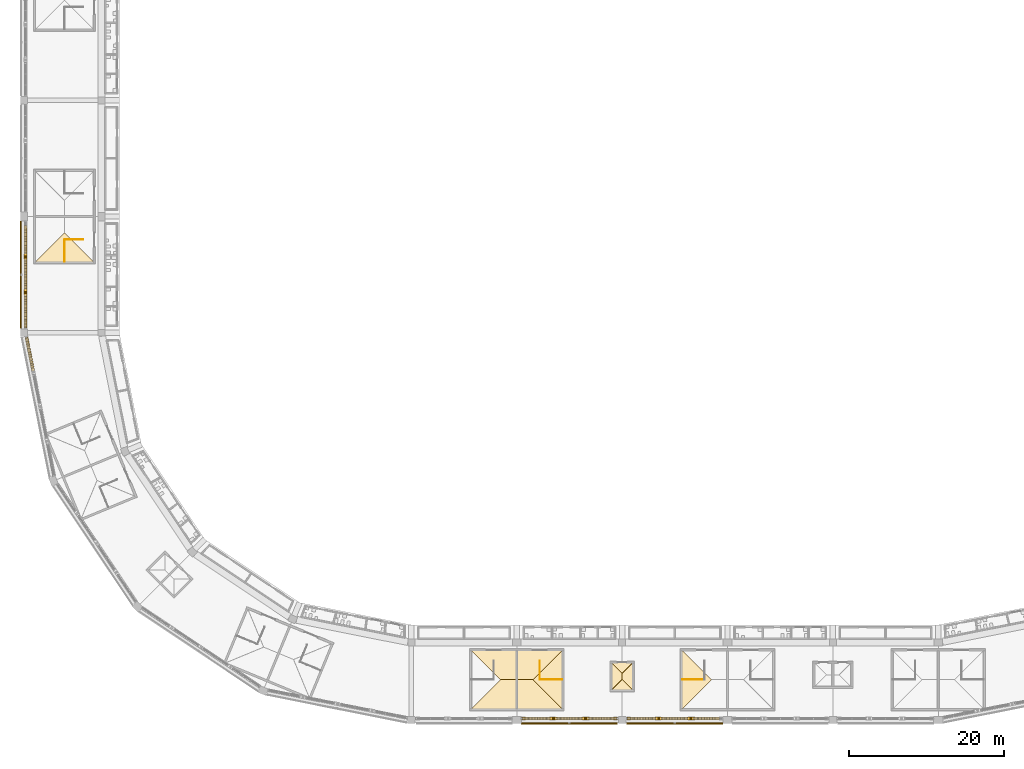
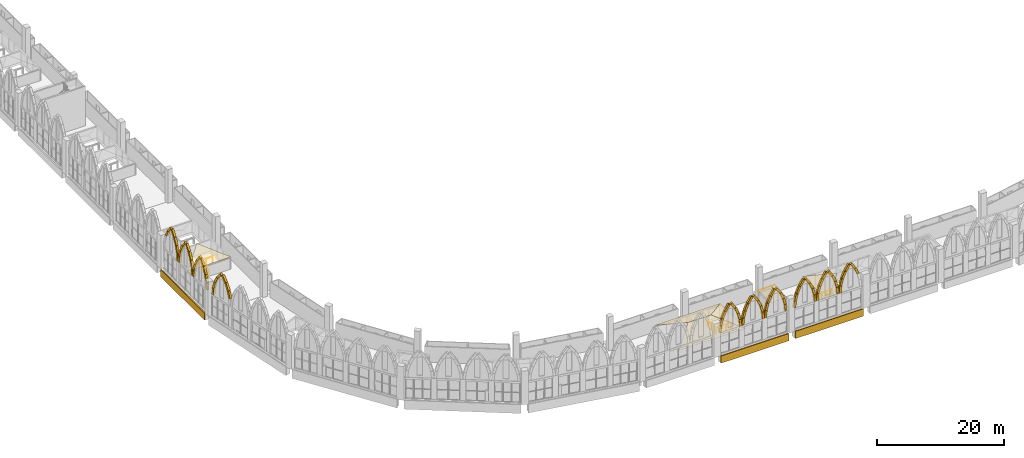
# One storey, part 107 of 130: 87 coverings, 5 railings.
"""IFC4 building model written with IfcOpenShell, lengths in metres."""

import ifcopenshell
import ifcopenshell.guid

model = None  # the IFC model being written
_history = None  # IfcOwnerHistory: only IFC2X3 demands one
_inside = {}  # id of a spatial element -> (the spatial element, [elements in it])
_under = {}  # id of a project, library or spatial element -> (it, [spatial elements below it])
_declared = {}  # id of a project -> (the project, [libraries it declares])
_typed = {}  # id of a type object -> (the type object, [elements of that type])
_made_of = {}  # id of a material, layer set ... -> (it, [elements and type objects made of it])


def new_model(schema):
    """Start an empty IFC model of exactly this schema.

    Asked for "IFC4X3", IfcOpenShell would pick the latest addendum, in which some entities
    have other attributes; the version numbers below select the first issue.
    IFC2X3 requires an IfcOwnerHistory on every rooted entity: one is made here for all.
    """
    global model, _history
    if schema == "IFC4X3":
        model = ifcopenshell.file(schema_version=(4, 3, 0, 0))
    else:
        model = ifcopenshell.file(schema=schema)
    _inside.clear()
    _under.clear()
    _declared.clear()
    _typed.clear()
    _made_of.clear()
    _history = None
    if model.schema == "IFC2X3":
        org = make("IfcOrganization", Name="unknown")
        user = make(
            "IfcPersonAndOrganization",
            ThePerson=make("IfcPerson", FamilyName="unknown"),
            TheOrganization=org,
        )
        app = make(
            "IfcApplication",
            ApplicationDeveloper=org,
            Version="unknown",
            ApplicationFullName="unknown",
            ApplicationIdentifier="unknown",
        )
        _history = make(
            "IfcOwnerHistory",
            OwningUser=user,
            OwningApplication=app,
            ChangeAction="ADDED",
            CreationDate=0,
        )
    return model


def make(cls, **values):
    """One entity of the class cls with the attributes given. An attribute that is None is left unset."""
    return model.create_entity(
        cls, **{name: value for name, value in values.items() if value is not None}
    )


def rooted(cls, **values):
    """An entity with a GlobalId (a new one), such as an element, a storey or a relation."""
    return make(cls, GlobalId=ifcopenshell.guid.new(), OwnerHistory=_history, **values)


def si_unit(unit_type, name, prefix=None):
    """IfcSIUnit, for example si_unit("LENGTHUNIT", "METRE", prefix="MILLI")."""
    return make("IfcSIUnit", UnitType=unit_type, Prefix=prefix, Name=name)


def assignment(units):
    """IfcUnitAssignment: the units of a project."""
    return None if units is None else make("IfcUnitAssignment", Units=units)


def point(xyz):
    """IfcCartesianPoint."""
    return None if xyz is None else make("IfcCartesianPoint", Coordinates=xyz)


def direction(xyz):
    """IfcDirection."""
    return None if xyz is None else make("IfcDirection", DirectionRatios=xyz)


def frame(location, z_axis=None, x_axis=None):
    """IfcAxis2Placement3D, a coordinate frame: its origin and axes. An axis left out is left unset."""
    return make(
        "IfcAxis2Placement3D",
        Location=point(location),
        Axis=direction(z_axis),
        RefDirection=direction(x_axis),
    )


def frame_2d(location, x_axis=None):
    """IfcAxis2Placement2D, a coordinate frame in the plane: its origin and x axis."""
    return make(
        "IfcAxis2Placement2D", Location=point(location), RefDirection=direction(x_axis)
    )


def origin():
    """The frame at (0, 0, 0) with its axes left unset."""
    return frame((0.0, 0.0, 0.0))


def origin_2d():
    """The frame at (0, 0) in the plane with its x axis left unset."""
    return frame_2d((0.0, 0.0))


def place(relative_to, where):
    """IfcLocalPlacement: puts the frame where relative to a parent placement (None: the world)."""
    return make(
        "IfcLocalPlacement", PlacementRelTo=relative_to, RelativePlacement=where
    )


def context(
    kind, dimensions, precision=None, world=None, true_north=None, identifier=None
):
    """IfcGeometricRepresentationContext, for example the 3D "Model" context."""
    return make(
        "IfcGeometricRepresentationContext",
        ContextIdentifier=identifier,
        ContextType=kind,
        CoordinateSpaceDimension=dimensions,
        Precision=precision,
        WorldCoordinateSystem=world,
        TrueNorth=true_north,
    )


def subcontext(parent, identifier, kind, view, scale=None):
    """IfcGeometricRepresentationSubContext, for example "Body" below "Model"."""
    return make(
        "IfcGeometricRepresentationSubContext",
        ContextIdentifier=identifier,
        ContextType=kind,
        ParentContext=parent,
        TargetScale=scale,
        TargetView=view,
    )


def project(units=None, contexts=None):
    """IfcProject with its units and contexts."""
    return rooted(
        "IfcProject",
        Name="project",
        RepresentationContexts=contexts,
        UnitsInContext=assignment(units),
    )


def spatial(cls, under=None, at=None, **own):
    """A site, building, storey or space (cls), placed at a placement, below another one or the project."""
    s = rooted(cls, ObjectPlacement=at, **own)
    if under is not None:
        _under.setdefault(under.id(), (under, []))[1].append(s)
    return s


def polyline(points):
    """IfcPolyline through the points."""
    return make("IfcPolyline", Points=[point(p) for p in points])


def profile(cls, at=None, kind="AREA", **sizes):
    """A parametric profile (cls). Its sizes go by their IFC names, for example OverallWidth=200.0."""
    return make(cls, ProfileType=kind, Position=at, **sizes)


def rectangle(**sizes):
    """IfcRectangleProfileDef."""
    return profile("IfcRectangleProfileDef", **sizes)


def circle(**sizes):
    """IfcCircleProfileDef."""
    return profile("IfcCircleProfileDef", **sizes)


def outline(outer, holes=None, kind="AREA"):
    """IfcArbitraryClosedProfileDef: a profile drawn as a closed curve; with holes, ...WithVoids."""
    if holes is None:
        return make("IfcArbitraryClosedProfileDef", ProfileType=kind, OuterCurve=outer)
    return make(
        "IfcArbitraryProfileDefWithVoids",
        ProfileType=kind,
        OuterCurve=outer,
        InnerCurves=holes,
    )


def extrude(swept, where, along, depth):
    """IfcExtrudedAreaSolid: the profile swept, set in the frame where, extruded along a direction by depth."""
    return make(
        "IfcExtrudedAreaSolid",
        SweptArea=swept,
        Position=where,
        ExtrudedDirection=direction(along),
        Depth=depth,
    )


def shape(context_of_items, identifier, shape_type, items):
    """IfcShapeRepresentation: the items that make up one representation, for example the "Body"."""
    return make(
        "IfcShapeRepresentation",
        ContextOfItems=context_of_items,
        RepresentationIdentifier=identifier,
        RepresentationType=shape_type,
        Items=items,
    )


def material(Name=None, Category=None):
    """IfcMaterial."""
    return make("IfcMaterial", Name=Name, Category=Category)


def layer(
    of_material, thickness, ventilated=None, Name=None, Category=None, Priority=None
):
    """IfcMaterialLayer: one layer of a wall or slab, of a material (None: an air gap)."""
    return make(
        "IfcMaterialLayer",
        Material=of_material,
        LayerThickness=thickness,
        IsVentilated=ventilated,
        Name=Name,
        Category=Category,
        Priority=Priority,
    )


def layer_set(layers, Name=None):
    """IfcMaterialLayerSet."""
    return make("IfcMaterialLayerSet", MaterialLayers=layers, LayerSetName=Name)


def material_profile(
    of_material, cross_section, Name=None, Category=None, Priority=None
):
    """IfcMaterialProfile: a cross section and its material."""
    return make(
        "IfcMaterialProfile",
        Name=Name,
        Material=of_material,
        Profile=cross_section,
        Priority=Priority,
        Category=Category,
    )


def profile_set(profiles, Name=None, composite=None):
    """IfcMaterialProfileSet."""
    return make(
        "IfcMaterialProfileSet",
        Name=Name,
        MaterialProfiles=profiles,
        CompositeProfile=composite,
    )


def made_of(thing, what):
    """Note that an element or type object is made of a material, layer set ...; save() writes the relation."""
    if what is not None:
        _made_of.setdefault(what.id(), (what, []))[1].append(thing)
    return thing


def type_object(cls, material=None, **own):
    """A type object (cls), such as IfcWallType, which elements share."""
    return made_of(rooted(cls, **own), material)


def element(
    cls,
    number,
    at=None,
    inside=None,
    cuts=None,
    type_object=None,
    material=None,
    context=None,
    identifier="Body",
    shape_type=None,
    held_by="IfcProductDefinitionShape",
    body=None,
    shapes=None,
    **own,
):
    """One element of the class cls, such as IfcWall. Its Tag is "e" and its number.

    at: its placement. inside: the storey or other place that contains it. cuts: it is an
    opening in that element (IfcRelVoidsElement). A single representation is given by context,
    identifier, shape_type and body (its items); several are given by shapes. held_by: the class
    of the entity that holds the representations. save() writes the other relations.
    """
    e = rooted(cls, Tag="e%d" % number, ObjectPlacement=at, **own)
    if body is not None:
        shapes = [shape(context, identifier, shape_type, body)]
    if shapes is not None:
        e.Representation = make(held_by, Representations=shapes)
    if inside is not None:
        _inside.setdefault(inside.id(), (inside, []))[1].append(e)
    if cuts is not None:
        rooted(
            "IfcRelVoidsElement", RelatingBuildingElement=cuts, RelatedOpeningElement=e
        )
    if type_object is not None:
        _typed.setdefault(type_object.id(), (type_object, []))[1].append(e)
    return made_of(e, material)


def aggregate(whole, parts):
    """IfcRelAggregates: a whole, such as a stair, and the parts it consists of."""
    return rooted("IfcRelAggregates", RelatingObject=whole, RelatedObjects=parts)


def save(model, path):
    """Write the relations noted so far, then the file.

    IfcRelAggregates (storeys below a building ...), IfcRelContainedInSpatialStructure (elements
    in a storey), IfcRelDefinesByType, IfcRelAssociatesMaterial and IfcRelDeclares: one each for
    every whole, place, type object, material and project.
    """
    for whole, parts in _under.values():
        aggregate(whole, parts)
    for where, things in _inside.values():
        rooted(
            "IfcRelContainedInSpatialStructure",
            RelatedElements=things,
            RelatingStructure=where,
        )
    for kind, things in _typed.values():
        rooted("IfcRelDefinesByType", RelatedObjects=things, RelatingType=kind)
    for what, things in _made_of.values():
        rooted("IfcRelAssociatesMaterial", RelatedObjects=things, RelatingMaterial=what)
    for by, libraries in _declared.values():
        rooted("IfcRelDeclares", RelatingContext=by, RelatedDefinitions=libraries)
    model.write(path)


model = new_model("IFC4")

# Units and contexts
model_context = context("Model", 3, precision=1e-05, world=origin(), true_north=direction((0.0, 1.0)))
body_context = subcontext(model_context, "Body", "Model", "MODEL_VIEW")
ifc_project = project(units=[si_unit("LENGTHUNIT", "METRE"), si_unit("AREAUNIT", "SQUARE_METRE"), si_unit("VOLUMEUNIT", "CUBIC_METRE"), si_unit("PLANEANGLEUNIT", "RADIAN"), si_unit("MASSUNIT", "GRAM", prefix="KILO")], contexts=[model_context])

# Site, building, storey
site_placement = place(None, origin())
site = spatial("IfcSite", under=ifc_project, at=site_placement, CompositionType="ELEMENT")
building_placement = place(site_placement, origin())
building = spatial("IfcBuilding", under=site, at=building_placement, Name="Ogive Plaza Stadium", CompositionType="ELEMENT")
storey_placement = place(building_placement, frame((0.0, 0.0, 22.5)))
storey = spatial("IfcBuildingStorey", under=building, at=storey_placement, Name="L05", CompositionType="ELEMENT", Elevation=22.5)

# Railings
ifc_material_1 = material(Name="Steel ASTM A572 Grade 50", Category="steel")
railing_type = type_object("IfcRailingType", Name="Guard 1100", PredefinedType="GUARDRAIL", material=ifc_material_1)
railing_1_placement = place(storey_placement, frame((0.97509765625, -97.25, 0.0)))
element("IfcRailing", 1, at=railing_1_placement, inside=storey, type_object=railing_type, Name="Stair guard ST14A L05", PredefinedType="GUARDRAIL", context=body_context, shape_type="SweptSolid", body=[
    extrude(circle(Radius=0.02392578125, at=origin_2d()), frame((0.0, 0.0, 1.076171875), z_axis=(1.0, 0.0, 0.0), x_axis=(0.0, 1.0, 0.0)), (0.0, 0.0, 1.0), 2.7998046875),
    extrude(circle(Radius=0.02099609375, at=origin_2d()), origin(), (0.0, 0.0, 1.0), 1.052001953125),
    extrude(circle(Radius=0.02099609375, at=origin_2d()), frame((0.933349609375, 0.0, 0.0)), (0.0, 0.0, 1.0), 1.052001953125),
    extrude(circle(Radius=0.02099609375, at=origin_2d()), frame((1.866455078125, 0.0, 0.0)), (0.0, 0.0, 1.0), 1.052001953125),
    extrude(circle(Radius=0.02099609375, at=origin_2d()), frame((2.7998046875, 0.0, 0.0)), (0.0, 0.0, 1.0), 1.052001953125),
])
railing_2_placement = place(storey_placement, frame((-17.425048828125, -94.85009765625, 0.0)))
element("IfcRailing", 2, at=railing_2_placement, inside=storey, type_object=railing_type, Name="Stair well guard ST16B L05", PredefinedType="GUARDRAIL", context=body_context, shape_type="SweptSolid", body=[
    extrude(circle(Radius=0.02392578125, at=origin_2d()), frame((0.0, 0.0, 1.076171875), z_axis=(0.0, -1.0, 0.0), x_axis=(1.0, 0.0, 0.0)), (0.0, 0.0, 1.0), 2.39990234375),
    extrude(circle(Radius=0.02099609375, at=origin_2d()), origin(), (0.0, 0.0, 1.0), 1.052001953125),
    extrude(circle(Radius=0.02099609375, at=origin_2d()), frame((0.0, -1.199951171875, 0.0)), (0.0, 0.0, 1.0), 1.052001953125),
    extrude(circle(Radius=0.02099609375, at=origin_2d()), frame((0.0, -2.39990234375, 0.0)), (0.0, 0.0, 1.0), 1.052001953125),
])
railing_3_placement = place(storey_placement, frame((-17.375, -97.25, 0.0)))
element("IfcRailing", 3, at=railing_3_placement, inside=storey, type_object=railing_type, Name="Stair guard ST16B L05", PredefinedType="GUARDRAIL", context=body_context, shape_type="SweptSolid", body=[
    extrude(circle(Radius=0.02392578125, at=origin_2d()), frame((0.0, 0.0, 1.076171875), z_axis=(1.0, 0.0, 0.0), x_axis=(0.0, 1.0, 0.0)), (0.0, 0.0, 1.0), 2.800048828125),
    extrude(circle(Radius=0.02099609375, at=origin_2d()), origin(), (0.0, 0.0, 1.0), 1.052001953125),
    extrude(circle(Radius=0.02099609375, at=origin_2d()), frame((0.933349609375, 0.0, 0.0)), (0.0, 0.0, 1.0), 1.052001953125),
    extrude(circle(Radius=0.02099609375, at=origin_2d()), frame((1.86669921875, 0.0, 0.0)), (0.0, 0.0, 1.0), 1.052001953125),
    extrude(circle(Radius=0.02099609375, at=origin_2d()), frame((2.800048828125, 0.0, 0.0)), (0.0, 0.0, 1.0), 1.052001953125),
])
railing_4_placement = place(storey_placement, frame((-76.35009765625, -40.47509765625, 0.0)))
element("IfcRailing", 4, at=railing_4_placement, inside=storey, type_object=railing_type, Name="Stair well guard ST22B L05", PredefinedType="GUARDRAIL", context=body_context, shape_type="SweptSolid", body=[
    extrude(circle(Radius=0.02392578125, at=origin_2d()), frame((0.0, 0.0, 1.076171875), z_axis=(-1.0, 0.0, 0.0), x_axis=(0.0, -1.0, 0.0)), (0.0, 0.0, 1.0), 2.39990234375),
    extrude(circle(Radius=0.02099609375, at=origin_2d()), origin(), (0.0, 0.0, 1.0), 1.052001953125),
    extrude(circle(Radius=0.02099609375, at=origin_2d()), frame((-1.199951171875, 0.0, 0.0)), (0.0, 0.0, 1.0), 1.052001953125),
    extrude(circle(Radius=0.02099609375, at=origin_2d()), frame((-2.39990234375, 0.0, 0.0)), (0.0, 0.0, 1.0), 1.052001953125),
])
railing_5_placement = place(storey_placement, frame((-78.75, -40.52490234375, 0.0)))
element("IfcRailing", 5, at=railing_5_placement, inside=storey, type_object=railing_type, Name="Stair guard ST22B L05", PredefinedType="GUARDRAIL", context=body_context, shape_type="SweptSolid", body=[
    extrude(circle(Radius=0.02392578125, at=origin_2d()), frame((0.0, 0.0, 1.076171875), z_axis=(0.0, -1.0, 0.0), x_axis=(1.0, 0.0, 0.0)), (0.0, 0.0, 1.0), 2.800048828125),
    extrude(circle(Radius=0.02099609375, at=origin_2d()), origin(), (0.0, 0.0, 1.0), 1.052001953125),
    extrude(circle(Radius=0.02099609375, at=origin_2d()), frame((0.0, -0.933349609375, 0.0)), (0.0, 0.0, 1.0), 1.052001953125),
    extrude(circle(Radius=0.02099609375, at=origin_2d()), frame((0.0, -1.86669921875, 0.0)), (0.0, 0.0, 1.0), 1.052001953125),
    extrude(circle(Radius=0.02099609375, at=origin_2d()), frame((0.0, -2.800048828125, 0.0)), (0.0, 0.0, 1.0), 1.052001953125),
])

# Coverings
ifc_material_2 = material(Name="Zinc sheet", Category="metal")
ifc_layer_1 = layer(ifc_material_2, 0.030029296875)
ifc_layer_set_1 = layer_set([ifc_layer_1], Name="Overrun roof zinc 30")
covering_type_1 = type_object("IfcCoveringType", Name="Overrun roof zinc 30", PredefinedType="ROOFING", material=ifc_layer_set_1)
covering_1_placement = place(storey_placement, frame((-8.35009765625, -94.89990234375, 3.623046875), z_axis=(-0.642614547277, 0.0, 0.766189626416), x_axis=(0.0, -1.0, 0.0)))
element("IfcCovering", 6, at=covering_1_placement, inside=storey, type_object=covering_type_1, Name="Lift overrun roof facet LS15 1", PredefinedType="ROOFING", context=body_context, shape_type="SweptSolid", body=[
    extrude(outline(polyline([(0.0, 0.0), (3.900146484375, 0.0), (2.35009765625, 2.023061621671686), (1.550048828125, 2.023061621671686), (0.0, 0.0)])), origin(), (0.0, 0.0, -1.0), 0.030029296875),
])
covering_2_placement = place(storey_placement, frame((-8.35009765625, -98.800048828125, 3.623046875), z_axis=(0.0, -0.642614547277, 0.766189626416), x_axis=(1.0, 0.0, 0.0)))
element("IfcCovering", 7, at=covering_2_placement, inside=storey, type_object=covering_type_1, Name="Lift overrun roof facet LS15 2", PredefinedType="ROOFING", context=body_context, shape_type="SweptSolid", body=[
    extrude(outline(polyline([(0.0, 0.0), (3.10009765625, 0.0), (1.550048828125, 2.023061621671686), (0.0, 0.0)])), origin(), (0.0, 0.0, -1.0), 0.030029296875),
])
covering_3_placement = place(storey_placement, frame((-5.25, -98.800048828125, 3.623046875), z_axis=(0.642614547277, 0.0, 0.766189626416), x_axis=(0.0, 1.0, 0.0)))
element("IfcCovering", 8, at=covering_3_placement, inside=storey, type_object=covering_type_1, Name="Lift overrun roof facet LS15 3", PredefinedType="ROOFING", context=body_context, shape_type="SweptSolid", body=[
    extrude(outline(polyline([(0.0, 0.0), (3.900146484375, 0.0), (2.35009765625, 2.023061621671686), (1.550048828125, 2.023061621671686), (0.0, 0.0)])), origin(), (0.0, 0.0, -1.0), 0.030029296875),
])
covering_4_placement = place(storey_placement, frame((-5.25, -94.89990234375, 3.623046875), z_axis=(0.0, 0.642614547277, 0.766189626416), x_axis=(-1.0, 0.0, 0.0)))
element("IfcCovering", 9, at=covering_4_placement, inside=storey, type_object=covering_type_1, Name="Lift overrun roof facet LS15 4", PredefinedType="ROOFING", context=body_context, shape_type="SweptSolid", body=[
    extrude(outline(polyline([(0.0, 0.0), (3.10009765625, 0.0), (1.550048828125, 2.023061621671686), (0.0, 0.0)])), origin(), (0.0, 0.0, -1.0), 0.030029296875),
])
ifc_material_3 = material(Name="Cast stone (reconstituted limestone)", Category="masonry")
ifc_material_profile = material_profile(ifc_material_3, rectangle(XDim=0.39990234375, YDim=0.39990234375, at=origin_2d()), Name="Cast stone 400x400")
ifc_profile_set = profile_set([ifc_material_profile], Name="Cast stone (reconstituted limestone)")
covering_type_2 = type_object("IfcCoveringType", Name="Precast arch rib 400x400", PredefinedType="MOLDING", material=ifc_profile_set)
for number, where, z_axis, x_axis, name in (
    (10, (5.55419921875, -102.300048828125, 6.7216796875), (-0.405647789331, 0.0, 0.914029469443), (0.0, -1.0, 0.0), "ARCH RIB B14 1.3"),
    (11, (5.013671875, -102.300048828125, 7.9326171875), (-0.552038792089, 0.0, 0.833818428694), (0.0, -1.0, 0.0), "ARCH RIB B14 1.4"),
    (12, (3.966552734375, -102.300048828125, 9.010498046875), (-0.552038792089, 0.0, -0.833818428694), (0.0, -1.0, 0.0), "ARCH RIB B14 1.5"),
    (13, (3.23681640625, -102.300048828125, 7.9033203125), (-0.405647789331, 0.0, -0.914029469443), (0.0, -1.0, 0.0), "ARCH RIB B14 1.6"),
    (14, (2.701416015625, -102.300048828125, 6.690185546875), (-0.247952785685, 0.0, -0.96877211772), (0.0, -1.0, 0.0), "ARCH RIB B14 1.7"),
    (15, (2.375244140625, -102.300048828125, 5.405029296875), (-0.083467432906, 0.0, -0.996510505536), (0.0, -1.0, 0.0), "ARCH RIB B14 1.8"),
    (16, (1.865966796875, -102.300048828125, 4.11669921875), (-0.083467432906, 0.0, 0.996510505536), (0.0, -1.0, 0.0), "ARCH RIB B14 2.1"),
    (17, (1.75244140625, -102.300048828125, 5.437744140625), (-0.247952785685, 0.0, 0.96877211772), (0.0, -1.0, 0.0), "ARCH RIB B14 2.2"),
    (18, (1.4208984375, -102.300048828125, 6.7216796875), (-0.405647789331, 0.0, 0.914029469443), (0.0, -1.0, 0.0), "ARCH RIB B14 2.3"),
    (19, (0.88037109375, -102.300048828125, 7.9326171875), (-0.552038792089, 0.0, 0.833818428694), (0.0, -1.0, 0.0), "ARCH RIB B14 2.4"),
    (20, (-0.166748046875, -102.300048828125, 9.010498046875), (-0.552038792089, 0.0, -0.833818428694), (0.0, -1.0, 0.0), "ARCH RIB B14 2.5"),
    (21, (-0.896484375, -102.300048828125, 7.9033203125), (-0.405647789331, 0.0, -0.914029469443), (0.0, -1.0, 0.0), "ARCH RIB B14 2.6"),
    (22, (-1.431884765625, -102.300048828125, 6.690185546875), (-0.247952785685, 0.0, -0.96877211772), (0.0, -1.0, 0.0), "ARCH RIB B14 2.7"),
    (23, (-1.758056640625, -102.300048828125, 5.405029296875), (-0.083467432906, 0.0, -0.996510505536), (0.0, -1.0, 0.0), "ARCH RIB B14 2.8"),
    (24, (-2.267333984375, -102.300048828125, 4.11669921875), (-0.083467432906, 0.0, 0.996510505536), (0.0, -1.0, 0.0), "ARCH RIB B14 3.1"),
    (25, (-2.380859375, -102.300048828125, 5.437744140625), (-0.247952785685, 0.0, 0.96877211772), (0.0, -1.0, 0.0), "ARCH RIB B14 3.2"),
    (26, (-2.71240234375, -102.300048828125, 6.7216796875), (-0.405647789331, 0.0, 0.914029469443), (0.0, -1.0, 0.0), "ARCH RIB B14 3.3"),
    (27, (-3.2529296875, -102.300048828125, 7.9326171875), (-0.552038792089, 0.0, 0.833818428694), (0.0, -1.0, 0.0), "ARCH RIB B14 3.4"),
    (28, (-4.300048828125, -102.300048828125, 9.010498046875), (-0.552038792089, 0.0, -0.833818428694), (0.0, -1.0, 0.0), "ARCH RIB B14 3.5"),
    (29, (-5.02978515625, -102.300048828125, 7.9033203125), (-0.405647789331, 0.0, -0.914029469443), (0.0, -1.0, 0.0), "ARCH RIB B14 3.6"),
):
    element("IfcCovering", number, at=place(storey_placement, frame(where, z_axis=z_axis, x_axis=x_axis)), inside=storey, type_object=covering_type_2, Name=name, PredefinedType="MOLDING", context=body_context, shape_type="SweptSolid", body=[
        extrude(rectangle(XDim=0.39990234375, YDim=0.39990234375, at=origin_2d()), origin(), (0.0, 0.0, 1.0), 1.292724609375),
    ])
covering_5_placement = place(storey_placement, frame((-5.565185546875, -102.300048828125, 6.690185546875), z_axis=(-0.248130007434, 0.0, -0.968726741352), x_axis=(0.0, -1.0, 0.0)))
element("IfcCovering", 30, at=covering_5_placement, inside=storey, type_object=covering_type_2, Name="ARCH RIB B14 3.7", PredefinedType="MOLDING", context=body_context, shape_type="SweptSolid", body=[
    extrude(rectangle(XDim=0.39990234375, YDim=0.39990234375, at=origin_2d()), origin(), (0.0, 0.0, 1.0), 1.29296875),
])
for number, where, z_axis, x_axis, name in (
    (31, (-5.891357421875, -102.300048828125, 5.405029296875), (-0.083467432906, 0.0, -0.996510505536), (0.0, -1.0, 0.0), "ARCH RIB B14 3.8"),
    (32, (-7.6005859375, -102.300048828125, 4.11669921875), (-0.083467432906, 0.0, 0.996510505536), (0.0, -1.0, 0.0), "ARCH RIB B15 1.1"),
    (33, (-7.714111328125, -102.300048828125, 5.437744140625), (-0.247952785685, 0.0, 0.96877211772), (0.0, -1.0, 0.0), "ARCH RIB B15 1.2"),
    (34, (-8.045654296875, -102.300048828125, 6.7216796875), (-0.405647789331, 0.0, 0.914029469443), (0.0, -1.0, 0.0), "ARCH RIB B15 1.3"),
    (35, (-8.586181640625, -102.300048828125, 7.9326171875), (-0.552038792089, 0.0, 0.833818428694), (0.0, -1.0, 0.0), "ARCH RIB B15 1.4"),
    (36, (-9.633544921875, -102.300048828125, 9.010498046875), (-0.552038792089, 0.0, -0.833818428694), (0.0, -1.0, 0.0), "ARCH RIB B15 1.5"),
):
    element("IfcCovering", number, at=place(storey_placement, frame(where, z_axis=z_axis, x_axis=x_axis)), inside=storey, type_object=covering_type_2, Name=name, PredefinedType="MOLDING", context=body_context, shape_type="SweptSolid", body=[
        extrude(rectangle(XDim=0.39990234375, YDim=0.39990234375, at=origin_2d()), origin(), (0.0, 0.0, 1.0), 1.292724609375),
    ])
covering_6_placement = place(storey_placement, frame((-10.363037109375, -102.300048828125, 7.9033203125), z_axis=(-0.405805545127, 0.0, -0.913959440864), x_axis=(0.0, -1.0, 0.0)))
element("IfcCovering", 37, at=covering_6_placement, inside=storey, type_object=covering_type_2, Name="ARCH RIB B15 1.6", PredefinedType="MOLDING", context=body_context, shape_type="SweptSolid", body=[
    extrude(rectangle(XDim=0.39990234375, YDim=0.39990234375, at=origin_2d()), origin(), (0.0, 0.0, 1.0), 1.29296875),
])
for number, where, z_axis, x_axis, name in (
    (38, (-10.898681640625, -102.300048828125, 6.690185546875), (-0.247952785685, 0.0, -0.96877211772), (0.0, -1.0, 0.0), "ARCH RIB B15 1.7"),
    (39, (-11.224853515625, -102.300048828125, 5.405029296875), (-0.083279903745, 0.0, -0.996526195156), (0.0, -1.0, 0.0), "ARCH RIB B15 1.8"),
    (40, (-11.734130859375, -102.300048828125, 4.11669921875), (-0.083279903745, 0.0, 0.996526195156), (0.0, -1.0, 0.0), "ARCH RIB B15 2.1"),
):
    element("IfcCovering", number, at=place(storey_placement, frame(where, z_axis=z_axis, x_axis=x_axis)), inside=storey, type_object=covering_type_2, Name=name, PredefinedType="MOLDING", context=body_context, shape_type="SweptSolid", body=[
        extrude(rectangle(XDim=0.39990234375, YDim=0.39990234375, at=origin_2d()), origin(), (0.0, 0.0, 1.0), 1.292724609375),
    ])
for number, where, z_axis, x_axis, name in (
    (41, (-11.847412109375, -102.300048828125, 5.437744140625), (-0.248130007434, 0.0, 0.968726741352), (0.0, -1.0, 0.0), "ARCH RIB B15 2.2"),
    (42, (-12.178955078125, -102.300048828125, 6.7216796875), (-0.405805545127, 0.0, 0.913959440864), (0.0, -1.0, 0.0), "ARCH RIB B15 2.3"),
):
    element("IfcCovering", number, at=place(storey_placement, frame(where, z_axis=z_axis, x_axis=x_axis)), inside=storey, type_object=covering_type_2, Name=name, PredefinedType="MOLDING", context=body_context, shape_type="SweptSolid", body=[
        extrude(rectangle(XDim=0.39990234375, YDim=0.39990234375, at=origin_2d()), origin(), (0.0, 0.0, 1.0), 1.29296875),
    ])
for number, where, z_axis, x_axis, name in (
    (43, (-12.719482421875, -102.300048828125, 7.9326171875), (-0.55217007731, 0.0, 0.833731494981), (0.0, -1.0, 0.0), "ARCH RIB B15 2.4"),
    (44, (-13.766845703125, -102.300048828125, 9.010498046875), (-0.552038792089, 0.0, -0.833818428694), (0.0, -1.0, 0.0), "ARCH RIB B15 2.5"),
    (45, (-14.49658203125, -102.300048828125, 7.9033203125), (-0.405647789331, 0.0, -0.914029469443), (0.0, -1.0, 0.0), "ARCH RIB B15 2.6"),
    (46, (-15.031982421875, -102.300048828125, 6.690185546875), (-0.247952785685, 0.0, -0.96877211772), (0.0, -1.0, 0.0), "ARCH RIB B15 2.7"),
    (47, (-15.358154296875, -102.300048828125, 5.405029296875), (-0.083467432906, 0.0, -0.996510505536), (0.0, -1.0, 0.0), "ARCH RIB B15 2.8"),
    (48, (-15.867431640625, -102.300048828125, 4.11669921875), (-0.083467432906, 0.0, 0.996510505536), (0.0, -1.0, 0.0), "ARCH RIB B15 3.1"),
):
    element("IfcCovering", number, at=place(storey_placement, frame(where, z_axis=z_axis, x_axis=x_axis)), inside=storey, type_object=covering_type_2, Name=name, PredefinedType="MOLDING", context=body_context, shape_type="SweptSolid", body=[
        extrude(rectangle(XDim=0.39990234375, YDim=0.39990234375, at=origin_2d()), origin(), (0.0, 0.0, 1.0), 1.292724609375),
    ])
covering_7_placement = place(storey_placement, frame((-15.980712890625, -102.300048828125, 5.437744140625), z_axis=(-0.248130007434, 0.0, 0.968726741352), x_axis=(0.0, -1.0, 0.0)))
element("IfcCovering", 49, at=covering_7_placement, inside=storey, type_object=covering_type_2, Name="ARCH RIB B15 3.2", PredefinedType="MOLDING", context=body_context, shape_type="SweptSolid", body=[
    extrude(rectangle(XDim=0.39990234375, YDim=0.39990234375, at=origin_2d()), origin(), (0.0, 0.0, 1.0), 1.29296875),
])
for number, where, z_axis, x_axis, name in (
    (50, (-16.3125, -102.300048828125, 6.7216796875), (-0.405647789331, 0.0, 0.914029469443), (0.0, -1.0, 0.0), "ARCH RIB B15 3.3"),
    (51, (-16.852783203125, -102.300048828125, 7.9326171875), (-0.55217007731, 0.0, 0.833731494981), (0.0, -1.0, 0.0), "ARCH RIB B15 3.4"),
    (52, (-17.900146484375, -102.300048828125, 9.010498046875), (-0.552038792089, 0.0, -0.833818428694), (0.0, -1.0, 0.0), "ARCH RIB B15 3.5"),
    (53, (-18.6298828125, -102.300048828125, 7.9033203125), (-0.405647789331, 0.0, -0.914029469443), (0.0, -1.0, 0.0), "ARCH RIB B15 3.6"),
    (54, (-19.165283203125, -102.300048828125, 6.690185546875), (-0.247952785685, 0.0, -0.96877211772), (0.0, -1.0, 0.0), "ARCH RIB B15 3.7"),
    (55, (-19.491455078125, -102.300048828125, 5.405029296875), (-0.083467432906, 0.0, -0.996510505536), (0.0, -1.0, 0.0), "ARCH RIB B15 3.8"),
):
    element("IfcCovering", number, at=place(storey_placement, frame(where, z_axis=z_axis, x_axis=x_axis)), inside=storey, type_object=covering_type_2, Name=name, PredefinedType="MOLDING", context=body_context, shape_type="SweptSolid", body=[
        extrude(rectangle(XDim=0.39990234375, YDim=0.39990234375, at=origin_2d()), origin(), (0.0, 0.0, 1.0), 1.292724609375),
    ])
for number, where, z_axis, x_axis, name in (
    (56, (-82.854248046875, -57.234375, 5.466552734375), (-0.0539412397, 0.270818389008, 0.961117965098), (-0.980735279798, -0.195341523902, 0.0), "ARCH RIB B20 4.2"),
    (57, (-82.927978515625, -56.864501953125, 6.76708984375), (-0.087673612364, 0.44096305246, 0.893232849855), (-0.980802041663, -0.195006038548, 0.0), "ARCH RIB B20 4.3"),
    (58, (-83.04736328125, -56.26416015625, 7.97509765625), (-0.118439161488, 0.595717472648, 0.794413530731), (-0.98080304755, -0.195000979273, 0.0), "ARCH RIB B20 4.4"),
    (59, (-83.265380859375, -55.16796875, 9.021484375), (-0.118439161488, 0.595717472648, -0.794413530731), (-0.98080304755, -0.195000979273, 0.0), "ARCH RIB B20 4.5"),
    (60, (-83.42529296875, -54.364013671875, 7.943603515625), (-0.087673612364, 0.44096305246, -0.893232849855), (-0.980802041663, -0.195006038548, 0.0), "ARCH RIB B20 4.6"),
    (61, (-83.54345703125, -53.769775390625, 6.732421875), (-0.0539412397, 0.270818389008, -0.961117965098), (-0.980735279798, -0.195341523902, 0.0), "ARCH RIB B20 4.7"),
):
    element("IfcCovering", number, at=place(storey_placement, frame(where, z_axis=z_axis, x_axis=x_axis)), inside=storey, type_object=covering_type_2, Name=name, PredefinedType="MOLDING", context=body_context, shape_type="SweptSolid", body=[
        extrude(rectangle(XDim=0.39990234375, YDim=0.39990234375, at=origin_2d()), origin(), (0.0, 0.0, 1.0), 1.317138671875),
    ])
covering_8_placement = place(storey_placement, frame((-83.61572265625, -53.40625, 5.429931640625), z_axis=(-0.018167063641, 0.091206074607, -0.995666314462), x_axis=(-0.980733711451, -0.195349397809, 0.0)))
element("IfcCovering", 62, at=covering_8_placement, inside=storey, type_object=covering_type_2, Name="ARCH RIB B20 4.8", PredefinedType="MOLDING", context=body_context, shape_type="SweptSolid", body=[
    extrude(rectangle(XDim=0.39990234375, YDim=0.39990234375, at=origin_2d()), origin(), (0.0, 0.0, 1.0), 1.31689453125),
])
covering_9_placement = place(storey_placement, frame((-83.800048828125, -51.69921875, 4.118896484375), z_axis=(0.0, 0.094171713154, 0.995555969517), x_axis=(-1.0, 0.0, 0.0)))
element("IfcCovering", 63, at=covering_9_placement, inside=storey, type_object=covering_type_2, Name="ARCH RIB B21 1.1", PredefinedType="MOLDING", context=body_context, shape_type="SweptSolid", body=[
    extrude(rectangle(XDim=0.39990234375, YDim=0.39990234375, at=origin_2d()), origin(), (0.0, 0.0, 1.0), 1.319580078125),
])
for number, where, z_axis, x_axis, name in (
    (64, (-83.800048828125, -51.56787109375, 5.4697265625), (0.0, 0.2789697965, 0.960299876414), (-1.0, 0.0, 0.0), "ARCH RIB B21 1.2"),
    (65, (-83.800048828125, -51.18603515625, 6.77197265625), (0.0, 0.453934094395, 0.891035261898), (-1.0, 0.0, 0.0), "ARCH RIB B21 1.3"),
):
    element("IfcCovering", number, at=place(storey_placement, frame(where, z_axis=z_axis, x_axis=x_axis)), inside=storey, type_object=covering_type_2, Name=name, PredefinedType="MOLDING", context=body_context, shape_type="SweptSolid", body=[
        extrude(rectangle(XDim=0.39990234375, YDim=0.39990234375, at=origin_2d()), origin(), (0.0, 0.0, 1.0), 1.31982421875),
    ])
for number, where, z_axis, x_axis, name in (
    (66, (-83.800048828125, -50.566650390625, 7.979736328125), (0.0, 0.612799939872, 0.790238086713), (-1.0, 0.0, 0.0), "ARCH RIB B21 1.4"),
    (67, (-83.800048828125, -49.44189453125, 9.0224609375), (0.0, 0.612799939872, -0.790238086713), (-1.0, 0.0, 0.0), "ARCH RIB B21 1.5"),
):
    element("IfcCovering", number, at=place(storey_placement, frame(where, z_axis=z_axis, x_axis=x_axis)), inside=storey, type_object=covering_type_2, Name=name, PredefinedType="MOLDING", context=body_context, shape_type="SweptSolid", body=[
        extrude(rectangle(XDim=0.39990234375, YDim=0.39990234375, at=origin_2d()), origin(), (0.0, 0.0, 1.0), 1.319580078125),
    ])
for number, where, z_axis, x_axis, name in (
    (68, (-83.800048828125, -48.613037109375, 7.947998046875), (0.0, 0.453787214374, -0.891110074048), (-1.0, 0.0, 0.0), "ARCH RIB B21 1.6"),
    (69, (-83.800048828125, -48.000244140625, 6.737060546875), (0.0, 0.2789697965, -0.960299876414), (-1.0, 0.0, 0.0), "ARCH RIB B21 1.7"),
):
    element("IfcCovering", number, at=place(storey_placement, frame(where, z_axis=z_axis, x_axis=x_axis)), inside=storey, type_object=covering_type_2, Name=name, PredefinedType="MOLDING", context=body_context, shape_type="SweptSolid", body=[
        extrude(rectangle(XDim=0.39990234375, YDim=0.39990234375, at=origin_2d()), origin(), (0.0, 0.0, 1.0), 1.31982421875),
    ])
for number, where, z_axis, x_axis, name in (
    (70, (-83.800048828125, -47.625, 5.4326171875), (0.0, 0.093988335931, -0.995573298511), (-1.0, 0.0, 0.0), "ARCH RIB B21 1.8"),
    (71, (-83.800048828125, -47.09912109375, 4.118896484375), (0.0, 0.094171713154, 0.995555969517), (-1.0, 0.0, 0.0), "ARCH RIB B21 2.1"),
    (72, (-83.800048828125, -46.9677734375, 5.4697265625), (0.0, 0.278799187003, 0.960349422516), (-1.0, 0.0, 0.0), "ARCH RIB B21 2.2"),
):
    element("IfcCovering", number, at=place(storey_placement, frame(where, z_axis=z_axis, x_axis=x_axis)), inside=storey, type_object=covering_type_2, Name=name, PredefinedType="MOLDING", context=body_context, shape_type="SweptSolid", body=[
        extrude(rectangle(XDim=0.39990234375, YDim=0.39990234375, at=origin_2d()), origin(), (0.0, 0.0, 1.0), 1.319580078125),
    ])
covering_10_placement = place(storey_placement, frame((-83.800048828125, -46.5859375, 6.77197265625), z_axis=(0.0, 0.453934094395, 0.891035261898), x_axis=(-1.0, 0.0, 0.0)))
element("IfcCovering", 73, at=covering_10_placement, inside=storey, type_object=covering_type_2, Name="ARCH RIB B21 2.3", PredefinedType="MOLDING", context=body_context, shape_type="SweptSolid", body=[
    extrude(rectangle(XDim=0.39990234375, YDim=0.39990234375, at=origin_2d()), origin(), (0.0, 0.0, 1.0), 1.31982421875),
])
for number, where, z_axis, x_axis, name in (
    (74, (-83.800048828125, -45.966796875, 7.979736328125), (0.0, 0.612915463399, 0.790148489036), (-1.0, 0.0, 0.0), "ARCH RIB B21 2.4"),
    (75, (-83.800048828125, -44.842041015625, 9.0224609375), (0.0, 0.612915463399, -0.790148489036), (-1.0, 0.0, 0.0), "ARCH RIB B21 2.5"),
):
    element("IfcCovering", number, at=place(storey_placement, frame(where, z_axis=z_axis, x_axis=x_axis)), inside=storey, type_object=covering_type_2, Name=name, PredefinedType="MOLDING", context=body_context, shape_type="SweptSolid", body=[
        extrude(rectangle(XDim=0.39990234375, YDim=0.39990234375, at=origin_2d()), origin(), (0.0, 0.0, 1.0), 1.319580078125),
    ])
covering_11_placement = place(storey_placement, frame((-83.800048828125, -44.01318359375, 7.947998046875), z_axis=(0.0, 0.453934094395, -0.891035261898), x_axis=(-1.0, 0.0, 0.0)))
element("IfcCovering", 76, at=covering_11_placement, inside=storey, type_object=covering_type_2, Name="ARCH RIB B21 2.6", PredefinedType="MOLDING", context=body_context, shape_type="SweptSolid", body=[
    extrude(rectangle(XDim=0.39990234375, YDim=0.39990234375, at=origin_2d()), origin(), (0.0, 0.0, 1.0), 1.31982421875),
])
for number, where, z_axis, x_axis, name in (
    (77, (-83.800048828125, -43.400146484375, 6.737060546875), (0.0, 0.278799187003, -0.960349422516), (-1.0, 0.0, 0.0), "ARCH RIB B21 2.7"),
    (78, (-83.800048828125, -43.025146484375, 5.4326171875), (0.0, 0.094171713154, -0.995555969517), (-1.0, 0.0, 0.0), "ARCH RIB B21 2.8"),
    (79, (-83.800048828125, -42.4990234375, 4.118896484375), (0.0, 0.093988335931, 0.995573298511), (-1.0, 0.0, 0.0), "ARCH RIB B21 3.1"),
):
    element("IfcCovering", number, at=place(storey_placement, frame(where, z_axis=z_axis, x_axis=x_axis)), inside=storey, type_object=covering_type_2, Name=name, PredefinedType="MOLDING", context=body_context, shape_type="SweptSolid", body=[
        extrude(rectangle(XDim=0.39990234375, YDim=0.39990234375, at=origin_2d()), origin(), (0.0, 0.0, 1.0), 1.319580078125),
    ])
for number, where, z_axis, x_axis, name in (
    (80, (-83.800048828125, -42.367919921875, 5.4697265625), (0.0, 0.2789697965, 0.960299876414), (-1.0, 0.0, 0.0), "ARCH RIB B21 3.2"),
    (81, (-83.800048828125, -41.98583984375, 6.77197265625), (0.0, 0.453787214374, 0.891110074048), (-1.0, 0.0, 0.0), "ARCH RIB B21 3.3"),
):
    element("IfcCovering", number, at=place(storey_placement, frame(where, z_axis=z_axis, x_axis=x_axis)), inside=storey, type_object=covering_type_2, Name=name, PredefinedType="MOLDING", context=body_context, shape_type="SweptSolid", body=[
        extrude(rectangle(XDim=0.39990234375, YDim=0.39990234375, at=origin_2d()), origin(), (0.0, 0.0, 1.0), 1.31982421875),
    ])
for number, where, z_axis, x_axis, name in (
    (82, (-83.800048828125, -41.36669921875, 7.979736328125), (0.0, 0.612799939872, 0.790238086713), (-1.0, 0.0, 0.0), "ARCH RIB B21 3.4"),
    (83, (-83.800048828125, -40.241943359375, 9.0224609375), (0.0, 0.612799939872, -0.790238086713), (-1.0, 0.0, 0.0), "ARCH RIB B21 3.5"),
):
    element("IfcCovering", number, at=place(storey_placement, frame(where, z_axis=z_axis, x_axis=x_axis)), inside=storey, type_object=covering_type_2, Name=name, PredefinedType="MOLDING", context=body_context, shape_type="SweptSolid", body=[
        extrude(rectangle(XDim=0.39990234375, YDim=0.39990234375, at=origin_2d()), origin(), (0.0, 0.0, 1.0), 1.319580078125),
    ])
covering_12_placement = place(storey_placement, frame((-83.800048828125, -39.4130859375, 7.947998046875), z_axis=(0.0, 0.453934094395, -0.891035261898), x_axis=(-1.0, 0.0, 0.0)))
element("IfcCovering", 84, at=covering_12_placement, inside=storey, type_object=covering_type_2, Name="ARCH RIB B21 3.6", PredefinedType="MOLDING", context=body_context, shape_type="SweptSolid", body=[
    extrude(rectangle(XDim=0.39990234375, YDim=0.39990234375, at=origin_2d()), origin(), (0.0, 0.0, 1.0), 1.31982421875),
])
ifc_material_4 = material(Name="Cast stone (reconstituted limestone)", Category="masonry")
ifc_layer_2 = layer(ifc_material_4, 0.159912109375)
ifc_layer_set_2 = layer_set([ifc_layer_2], Name="Precast spandrel cladding 160")
covering_type_3 = type_object("IfcCoveringType", Name="Precast spandrel cladding 160", PredefinedType="CLADDING", material=ifc_layer_set_2)
covering_13_placement = place(storey_placement, frame((0.0, 0.0, -1.409912109375)))
element("IfcCovering", 85, at=covering_13_placement, inside=storey, type_object=covering_type_3, Name="SPANDREL CLADDING B14 L05", PredefinedType="CLADDING", context=body_context, shape_type="SweptSolid", body=[
    extrude(outline(polyline([(6.199951171875, -102.85009765625), (-6.199951171875, -102.85009765625), (-6.199951171875, -103.010009765625), (6.199951171875, -103.010009765625), (6.199951171875, -102.85009765625)])), origin(), (0.0, 0.0, 1.0), 1.409912109375),
])
covering_14_placement = place(storey_placement, frame((0.0, 0.0, -1.409912109375)))
element("IfcCovering", 86, at=covering_14_placement, inside=storey, type_object=covering_type_3, Name="SPANDREL CLADDING B15 L05", PredefinedType="CLADDING", context=body_context, shape_type="SweptSolid", body=[
    extrude(outline(polyline([(-7.39990234375, -102.85009765625), (-19.800048828125, -102.85009765625), (-19.800048828125, -103.010009765625), (-7.39990234375, -103.010009765625), (-7.39990234375, -102.85009765625)])), origin(), (0.0, 0.0, 1.0), 1.409912109375),
])
covering_15_placement = place(storey_placement, frame((0.0, 0.0, -1.409912109375)))
element("IfcCovering", 87, at=covering_15_placement, inside=storey, type_object=covering_type_3, Name="SPANDREL CLADDING B21 L05", PredefinedType="CLADDING", context=body_context, shape_type="SweptSolid", body=[
    extrude(outline(polyline([(-84.35009765625, -51.89990234375), (-84.35009765625, -38.10009765625), (-84.510009765625, -38.10009765625), (-84.510009765625, -51.89990234375), (-84.35009765625, -51.89990234375)])), origin(), (0.0, 0.0, 1.0), 1.409912109375),
])
ifc_material_5 = material(Name="Zinc standing seam", Category="metal")
ifc_layer_3 = layer(ifc_material_5, 0.0400390625)
ifc_layer_set_3 = layer_set([ifc_layer_3], Name="Turret roof zinc standing seam 40")
covering_type_4 = type_object("IfcCoveringType", Name="Turret roof zinc standing seam 40", PredefinedType="ROOFING", material=ifc_layer_set_3)
covering_16_placement = place(storey_placement, frame((0.72509765625, -93.300048828125, 2.337158203125), z_axis=(-0.372970046205, 0.0, 0.927843383677), x_axis=(0.0, -1.0, 0.0)))
element("IfcCovering", 88, at=covering_16_placement, inside=storey, type_object=covering_type_4, Name="Stair core roof facet R14 4", PredefinedType="ROOFING", context=body_context, shape_type="SweptSolid", body=[
    extrude(outline(polyline([(0.0, 0.0), (7.9599609375, 0.0), (3.97998046875, 4.289495984738666), (0.0, 0.0)])), origin(), (0.0, 0.0, -1.0), 0.0400390625),
])
covering_17_placement = place(storey_placement, frame((-26.47509765625, -101.260009765625, 2.337158203125), z_axis=(0.0, -0.372970046205, 0.927843383677), x_axis=(1.0, 0.0, 0.0)))
element("IfcCovering", 89, at=covering_17_placement, inside=storey, type_object=covering_type_4, Name="Stair core roof facet R16 1", PredefinedType="ROOFING", context=body_context, shape_type="SweptSolid", body=[
    extrude(outline(polyline([(0.0, 0.0), (12.150146484375, 0.0), (8.170166015625, 4.289495984738667), (3.97998046875, 4.289495984738667), (0.0, 0.0)])), origin(), (0.0, 0.0, -1.0), 0.0400390625),
])
covering_18_placement = place(storey_placement, frame((-14.324951171875, -101.260009765625, 2.337158203125), z_axis=(0.372970046205, 0.0, 0.927843383677), x_axis=(0.0, 1.0, 0.0)))
element("IfcCovering", 90, at=covering_18_placement, inside=storey, type_object=covering_type_4, Name="Stair core roof facet R16 2", PredefinedType="ROOFING", context=body_context, shape_type="SweptSolid", body=[
    extrude(outline(polyline([(0.0, 0.0), (7.9599609375, 0.0), (3.97998046875, 4.289495984738666), (0.0, 0.0)])), origin(), (0.0, 0.0, -1.0), 0.0400390625),
])
covering_19_placement = place(storey_placement, frame((-14.324951171875, -93.300048828125, 2.337158203125), z_axis=(0.0, 0.372970046205, 0.927843383677), x_axis=(-1.0, 0.0, 0.0)))
element("IfcCovering", 91, at=covering_19_placement, inside=storey, type_object=covering_type_4, Name="Stair core roof facet R16 3", PredefinedType="ROOFING", context=body_context, shape_type="SweptSolid", body=[
    extrude(outline(polyline([(0.0, 0.0), (12.150146484375, 0.0), (8.170166015625, 4.289495984738667), (3.97998046875, 4.289495984738667), (0.0, 0.0)])), origin(), (0.0, 0.0, -1.0), 0.0400390625),
])
covering_20_placement = place(storey_placement, frame((-82.760009765625, -43.574951171875, 2.337158203125), z_axis=(0.0, -0.372970046205, 0.927843383677), x_axis=(1.0, 0.0, 0.0)))
element("IfcCovering", 92, at=covering_20_placement, inside=storey, type_object=covering_type_4, Name="Stair core roof facet R22 2", PredefinedType="ROOFING", context=body_context, shape_type="SweptSolid", body=[
    extrude(outline(polyline([(0.0, 0.0), (7.9599609375, 0.0), (3.97998046875, 4.289495984738666), (0.0, 0.0)])), origin(), (0.0, 0.0, -1.0), 0.0400390625),
])

save(model, "model.ifc")
